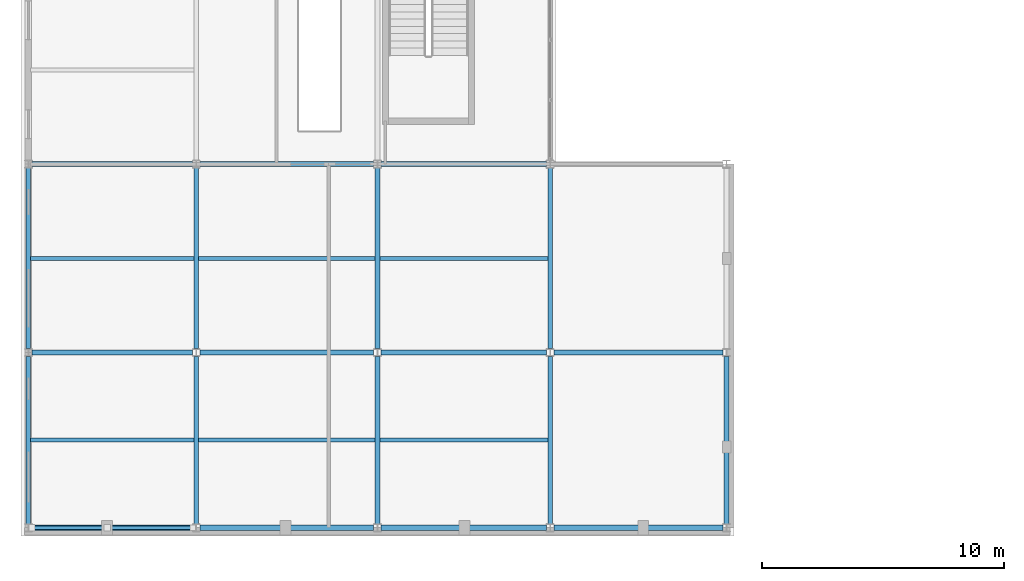
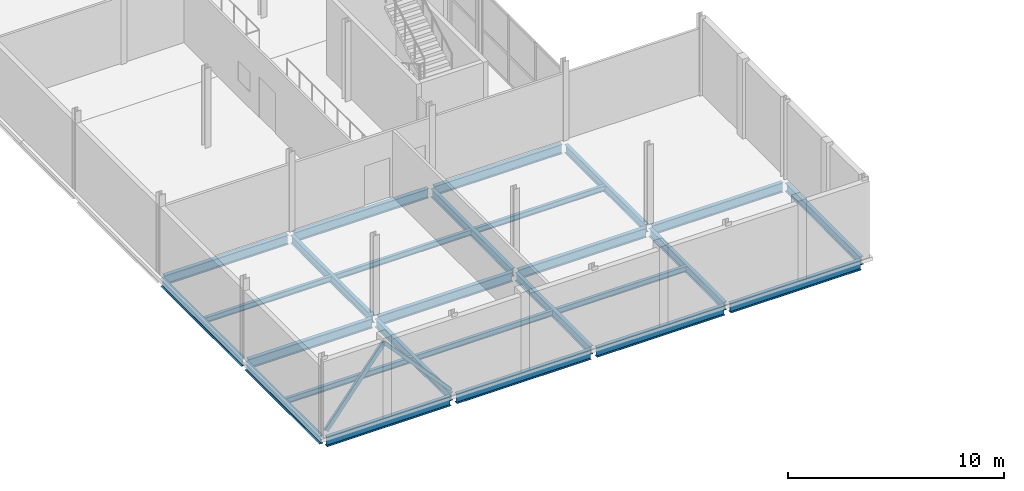
# One storey, part 11 of 77: 26 beams, 2 members.
"""IFC4 building model written with IfcOpenShell, lengths in metres."""

from ifc_helpers import new_model, si_unit, direction, frame, origin, origin_2d, place, context, subcontext, project, spatial, hollow_rectangle, i_section, extrude, material, material_profile, profile_set, type_object, element, save


model = new_model("IFC4")

# Units and contexts
model_context = context("Model", 3, precision=1e-05, world=origin(), true_north=direction((0.0, 1.0)))
body_context = subcontext(model_context, "Body", "Model", "MODEL_VIEW")
ifc_project = project(units=[si_unit("LENGTHUNIT", "METRE"), si_unit("AREAUNIT", "SQUARE_METRE"), si_unit("VOLUMEUNIT", "CUBIC_METRE"), si_unit("PLANEANGLEUNIT", "RADIAN"), si_unit("MASSUNIT", "GRAM", prefix="KILO")], contexts=[model_context])

# Site, building, storey
site_placement = place(None, origin())
site = spatial("IfcSite", under=ifc_project, at=site_placement, CompositionType="ELEMENT")
building_placement = place(site_placement, origin())
building = spatial("IfcBuilding", under=site, at=building_placement, Name="Quillay Park Conservatory", CompositionType="ELEMENT")
storey_placement = place(building_placement, frame((0.0, 0.0, 5.39990234375)))
storey = spatial("IfcBuildingStorey", under=building, at=storey_placement, Name="L01", CompositionType="ELEMENT", Elevation=5.39990234375)

# Beams
ifc_material_1 = material(Name="Steel ASTM A992 Grade 50", Category="steel")
ifc_material_profile_1 = material_profile(ifc_material_1, i_section(OverallWidth=0.166015625, OverallDepth=0.31298828125, WebThickness=0.006591796875, FlangeThickness=0.01123046875, FilletRadius=0.010009765625, at=origin_2d()), Name="W310x45")
ifc_profile_set_1 = profile_set([ifc_material_profile_1], Name="Steel ASTM A992 Grade 50")
beam_type_1 = type_object("IfcBeamType", Name="COMPOSITE FLOOR JOIST W310 X45", PredefinedType="JOIST", material=ifc_profile_set_1)
beam_1_placement = place(storey_placement, frame((0.64599609375, 4.175048828125, -0.346435546875), z_axis=(1.0, 0.0, 0.0), x_axis=(0.0, 1.0, 0.0)))
element("IfcBeam", 1, at=beam_1_placement, inside=storey, type_object=beam_type_1, Name="L01 beam BM-V3J-1312", PredefinedType="JOIST", context=body_context, shape_type="SweptSolid", body=[
    extrude(i_section(OverallWidth=0.166015625, OverallDepth=0.31298828125, WebThickness=0.006591796875, FlangeThickness=0.01123046875, FilletRadius=0.010009765625, at=origin_2d()), origin(), (0.0, 0.0, 1.0), 6.758056640625),
])
beam_2_placement = place(storey_placement, frame((7.595947265625, 4.175048828125, -0.346435546875), z_axis=(1.0, 0.0, 0.0), x_axis=(0.0, 1.0, 0.0)))
element("IfcBeam", 2, at=beam_2_placement, inside=storey, type_object=beam_type_1, Name="L01 beam BM-V3J-1313", PredefinedType="JOIST", context=body_context, shape_type="SweptSolid", body=[
    extrude(i_section(OverallWidth=0.166015625, OverallDepth=0.31298828125, WebThickness=0.006591796875, FlangeThickness=0.01123046875, FilletRadius=0.010009765625, at=origin_2d()), origin(), (0.0, 0.0, 1.0), 7.30810546875),
])
beam_3_placement = place(storey_placement, frame((15.095947265625, 4.175048828125, -0.346435546875), z_axis=(1.0, 0.0, 0.0), x_axis=(0.0, 1.0, 0.0)))
element("IfcBeam", 3, at=beam_3_placement, inside=storey, type_object=beam_type_1, Name="L01 beam BM-V3J-1314", PredefinedType="JOIST", context=body_context, shape_type="SweptSolid", body=[
    extrude(i_section(OverallWidth=0.166015625, OverallDepth=0.31298828125, WebThickness=0.006591796875, FlangeThickness=0.01123046875, FilletRadius=0.010009765625, at=origin_2d()), origin(), (0.0, 0.0, 1.0), 6.9580078125),
])
beam_4_placement = place(storey_placement, frame((0.64599609375, 11.699951171875, -0.346435546875), z_axis=(1.0, 0.0, 0.0), x_axis=(0.0, 1.0, 0.0)))
element("IfcBeam", 4, at=beam_4_placement, inside=storey, type_object=beam_type_1, Name="L01 beam BM-V3J-1315", PredefinedType="JOIST", context=body_context, shape_type="SweptSolid", body=[
    extrude(i_section(OverallWidth=0.166015625, OverallDepth=0.31298828125, WebThickness=0.006591796875, FlangeThickness=0.01123046875, FilletRadius=0.010009765625, at=origin_2d()), origin(), (0.0, 0.0, 1.0), 6.758056640625),
])
beam_5_placement = place(storey_placement, frame((7.595947265625, 11.699951171875, -0.346435546875), z_axis=(1.0, 0.0, 0.0), x_axis=(0.0, 1.0, 0.0)))
element("IfcBeam", 5, at=beam_5_placement, inside=storey, type_object=beam_type_1, Name="L01 beam BM-V3J-1316", PredefinedType="JOIST", context=body_context, shape_type="SweptSolid", body=[
    extrude(i_section(OverallWidth=0.166015625, OverallDepth=0.31298828125, WebThickness=0.006591796875, FlangeThickness=0.01123046875, FilletRadius=0.010009765625, at=origin_2d()), origin(), (0.0, 0.0, 1.0), 7.30810546875),
])
beam_6_placement = place(storey_placement, frame((15.095947265625, 11.699951171875, -0.346435546875), z_axis=(1.0, 0.0, 0.0), x_axis=(0.0, 1.0, 0.0)))
element("IfcBeam", 6, at=beam_6_placement, inside=storey, type_object=beam_type_1, Name="L01 beam BM-V3J-1317", PredefinedType="JOIST", context=body_context, shape_type="SweptSolid", body=[
    extrude(i_section(OverallWidth=0.166015625, OverallDepth=0.31298828125, WebThickness=0.006591796875, FlangeThickness=0.01123046875, FilletRadius=0.010009765625, at=origin_2d()), origin(), (0.0, 0.0, 1.0), 6.9580078125),
])
ifc_material_2 = material(Name="Steel ASTM A992 Grade 50", Category="steel")
ifc_material_profile_2 = material_profile(ifc_material_2, i_section(OverallWidth=0.19189453125, OverallDepth=0.462890625, WebThickness=0.010498046875, FlangeThickness=0.017578125, FilletRadius=0.012939453125, at=origin_2d()), Name="W460x89")
ifc_profile_set_2 = profile_set([ifc_material_profile_2], Name="Steel ASTM A992 Grade 50")
beam_type_2 = type_object("IfcBeamType", Name="PRIMARY FLOOR GIRDER W460 X89", PredefinedType="BEAM", material=ifc_profile_set_2)
beam_7_placement = place(storey_placement, frame((0.550048828125, 0.71142578125, -0.42138671875), z_axis=(0.0, 1.0, 0.0), x_axis=(-1.0, 0.0, 0.0)))
element("IfcBeam", 7, at=beam_7_placement, inside=storey, type_object=beam_type_2, Name="L01 beam BM-V3Y-1283", PredefinedType="BEAM", context=body_context, shape_type="SweptSolid", body=[
    extrude(i_section(OverallWidth=0.19189453125, OverallDepth=0.462890625, WebThickness=0.010498046875, FlangeThickness=0.017578125, FilletRadius=0.012939453125, at=origin_2d()), origin(), (0.0, 0.0, 1.0), 6.927001953125),
])
beam_8_placement = place(storey_placement, frame((0.550048828125, 7.96142578125, -0.42138671875), z_axis=(0.0, 1.0, 0.0), x_axis=(-1.0, 0.0, 0.0)))
element("IfcBeam", 8, at=beam_8_placement, inside=storey, type_object=beam_type_2, Name="L01 beam BM-V3Y-1284", PredefinedType="BEAM", context=body_context, shape_type="SweptSolid", body=[
    extrude(i_section(OverallWidth=0.19189453125, OverallDepth=0.462890625, WebThickness=0.010498046875, FlangeThickness=0.017578125, FilletRadius=0.012939453125, at=origin_2d()), origin(), (0.0, 0.0, 1.0), 7.47705078125),
])
beam_9_placement = place(storey_placement, frame((7.5, 0.71142578125, -0.42138671875), z_axis=(0.0, 1.0, 0.0), x_axis=(-1.0, 0.0, 0.0)))
element("IfcBeam", 9, at=beam_9_placement, inside=storey, type_object=beam_type_2, Name="L01 beam BM-V3Y-1290", PredefinedType="BEAM", context=body_context, shape_type="SweptSolid", body=[
    extrude(i_section(OverallWidth=0.19189453125, OverallDepth=0.462890625, WebThickness=0.010498046875, FlangeThickness=0.017578125, FilletRadius=0.012939453125, at=origin_2d()), origin(), (0.0, 0.0, 1.0), 6.927001953125),
])
beam_10_placement = place(storey_placement, frame((7.5, 7.96142578125, -0.42138671875), z_axis=(0.0, 1.0, 0.0), x_axis=(-1.0, 0.0, 0.0)))
element("IfcBeam", 10, at=beam_10_placement, inside=storey, type_object=beam_type_2, Name="L01 beam BM-V3Y-1291", PredefinedType="BEAM", context=body_context, shape_type="SweptSolid", body=[
    extrude(i_section(OverallWidth=0.19189453125, OverallDepth=0.462890625, WebThickness=0.010498046875, FlangeThickness=0.017578125, FilletRadius=0.012939453125, at=origin_2d()), origin(), (0.0, 0.0, 1.0), 7.47705078125),
])
beam_11_placement = place(storey_placement, frame((15.0, 0.71142578125, -0.42138671875), z_axis=(0.0, 1.0, 0.0), x_axis=(-1.0, 0.0, 0.0)))
element("IfcBeam", 11, at=beam_11_placement, inside=storey, type_object=beam_type_2, Name="L01 beam BM-V3Y-1296", PredefinedType="BEAM", context=body_context, shape_type="SweptSolid", body=[
    extrude(i_section(OverallWidth=0.19189453125, OverallDepth=0.462890625, WebThickness=0.010498046875, FlangeThickness=0.017578125, FilletRadius=0.012939453125, at=origin_2d()), origin(), (0.0, 0.0, 1.0), 6.927001953125),
])
beam_12_placement = place(storey_placement, frame((15.0, 7.96142578125, -0.42138671875), z_axis=(0.0, 1.0, 0.0), x_axis=(-1.0, 0.0, 0.0)))
element("IfcBeam", 12, at=beam_12_placement, inside=storey, type_object=beam_type_2, Name="L01 beam BM-V3Y-1297", PredefinedType="BEAM", context=body_context, shape_type="SweptSolid", body=[
    extrude(i_section(OverallWidth=0.19189453125, OverallDepth=0.462890625, WebThickness=0.010498046875, FlangeThickness=0.017578125, FilletRadius=0.012939453125, at=origin_2d()), origin(), (0.0, 0.0, 1.0), 7.47705078125),
])
beam_13_placement = place(storey_placement, frame((22.14990234375, 0.71142578125, -0.42138671875), z_axis=(0.0, 1.0, 0.0), x_axis=(-1.0, 0.0, 0.0)))
element("IfcBeam", 13, at=beam_13_placement, inside=storey, type_object=beam_type_2, Name="L01 beam BM-V3Y-1303", PredefinedType="BEAM", context=body_context, shape_type="SweptSolid", body=[
    extrude(i_section(OverallWidth=0.19189453125, OverallDepth=0.462890625, WebThickness=0.010498046875, FlangeThickness=0.017578125, FilletRadius=0.012939453125, at=origin_2d()), origin(), (0.0, 0.0, 1.0), 6.927001953125),
])
beam_14_placement = place(storey_placement, frame((22.14990234375, 7.96142578125, -0.42138671875), z_axis=(0.0, 1.0, 0.0), x_axis=(-1.0, 0.0, 0.0)))
element("IfcBeam", 14, at=beam_14_placement, inside=storey, type_object=beam_type_2, Name="L01 beam BM-V3Y-1304", PredefinedType="BEAM", context=body_context, shape_type="SweptSolid", body=[
    extrude(i_section(OverallWidth=0.19189453125, OverallDepth=0.462890625, WebThickness=0.010498046875, FlangeThickness=0.017578125, FilletRadius=0.012939453125, at=origin_2d()), origin(), (0.0, 0.0, 1.0), 7.47705078125),
])
beam_15_placement = place(storey_placement, frame((29.449951171875, 0.71142578125, -0.42138671875), z_axis=(0.0, 1.0, 0.0), x_axis=(-1.0, 0.0, 0.0)))
element("IfcBeam", 15, at=beam_15_placement, inside=storey, type_object=beam_type_2, Name="L01 beam BM-V3Y-1310", PredefinedType="BEAM", context=body_context, shape_type="SweptSolid", body=[
    extrude(i_section(OverallWidth=0.19189453125, OverallDepth=0.462890625, WebThickness=0.010498046875, FlangeThickness=0.017578125, FilletRadius=0.012939453125, at=origin_2d()), origin(), (0.0, 0.0, 1.0), 6.927001953125),
])
ifc_material_3 = material(Name="Steel ASTM A992 Grade 50", Category="steel")
ifc_material_profile_3 = material_profile(ifc_material_3, i_section(OverallWidth=0.2109375, OverallDepth=0.5390625, WebThickness=0.01171875, FlangeThickness=0.018798828125, FilletRadius=0.013916015625, at=origin_2d()), Name="W530x109")
ifc_profile_set_3 = profile_set([ifc_material_profile_3], Name="Steel ASTM A992 Grade 50")
beam_type_3 = type_object("IfcBeamType", Name="PRIMARY FLOOR GIRDER W530 X109", PredefinedType="BEAM", material=ifc_profile_set_3)
beam_16_placement = place(storey_placement, frame((0.70458984375, 0.550048828125, -0.45947265625), z_axis=(1.0, 0.0, 0.0), x_axis=(0.0, 1.0, 0.0)))
element("IfcBeam", 16, at=beam_16_placement, inside=storey, type_object=beam_type_3, Name="L01 beam BM-V3X-1261", PredefinedType="BEAM", context=body_context, shape_type="SweptSolid", body=[
    extrude(i_section(OverallWidth=0.2109375, OverallDepth=0.5390625, WebThickness=0.01171875, FlangeThickness=0.018798828125, FilletRadius=0.013916015625, at=origin_2d()), origin(), (0.0, 0.0, 1.0), 6.640869140625),
])
beam_17_placement = place(storey_placement, frame((7.654541015625, 0.550048828125, -0.45947265625), z_axis=(1.0, 0.0, 0.0), x_axis=(0.0, 1.0, 0.0)))
element("IfcBeam", 17, at=beam_17_placement, inside=storey, type_object=beam_type_3, Name="L01 beam BM-V3X-1262", PredefinedType="BEAM", context=body_context, shape_type="SweptSolid", body=[
    extrude(i_section(OverallWidth=0.2109375, OverallDepth=0.5390625, WebThickness=0.01171875, FlangeThickness=0.018798828125, FilletRadius=0.013916015625, at=origin_2d()), origin(), (0.0, 0.0, 1.0), 7.19091796875),
])
beam_18_placement = place(storey_placement, frame((15.154541015625, 0.550048828125, -0.45947265625), z_axis=(1.0, 0.0, 0.0), x_axis=(0.0, 1.0, 0.0)))
element("IfcBeam", 18, at=beam_18_placement, inside=storey, type_object=beam_type_3, Name="L01 beam BM-V3X-1263", PredefinedType="BEAM", context=body_context, shape_type="SweptSolid", body=[
    extrude(i_section(OverallWidth=0.2109375, OverallDepth=0.5390625, WebThickness=0.01171875, FlangeThickness=0.018798828125, FilletRadius=0.013916015625, at=origin_2d()), origin(), (0.0, 0.0, 1.0), 6.841064453125),
])
beam_19_placement = place(storey_placement, frame((22.304443359375, 0.550048828125, -0.45947265625), z_axis=(1.0, 0.0, 0.0), x_axis=(0.0, 1.0, 0.0)))
element("IfcBeam", 19, at=beam_19_placement, inside=storey, type_object=beam_type_3, Name="L01 beam BM-V3X-1264", PredefinedType="BEAM", context=body_context, shape_type="SweptSolid", body=[
    extrude(i_section(OverallWidth=0.2109375, OverallDepth=0.5390625, WebThickness=0.01171875, FlangeThickness=0.018798828125, FilletRadius=0.013916015625, at=origin_2d()), origin(), (0.0, 0.0, 1.0), 6.990966796875),
])
beam_20_placement = place(storey_placement, frame((0.70458984375, 7.800048828125, -0.45947265625), z_axis=(1.0, 0.0, 0.0), x_axis=(0.0, 1.0, 0.0)))
element("IfcBeam", 20, at=beam_20_placement, inside=storey, type_object=beam_type_3, Name="L01 beam BM-V3X-1265", PredefinedType="BEAM", context=body_context, shape_type="SweptSolid", body=[
    extrude(i_section(OverallWidth=0.2109375, OverallDepth=0.5390625, WebThickness=0.01171875, FlangeThickness=0.018798828125, FilletRadius=0.013916015625, at=origin_2d()), origin(), (0.0, 0.0, 1.0), 6.640869140625),
])
beam_21_placement = place(storey_placement, frame((7.654541015625, 7.800048828125, -0.45947265625), z_axis=(1.0, 0.0, 0.0), x_axis=(0.0, 1.0, 0.0)))
element("IfcBeam", 21, at=beam_21_placement, inside=storey, type_object=beam_type_3, Name="L01 beam BM-V3X-1266", PredefinedType="BEAM", context=body_context, shape_type="SweptSolid", body=[
    extrude(i_section(OverallWidth=0.2109375, OverallDepth=0.5390625, WebThickness=0.01171875, FlangeThickness=0.018798828125, FilletRadius=0.013916015625, at=origin_2d()), origin(), (0.0, 0.0, 1.0), 7.19091796875),
])
beam_22_placement = place(storey_placement, frame((15.154541015625, 7.800048828125, -0.45947265625), z_axis=(1.0, 0.0, 0.0), x_axis=(0.0, 1.0, 0.0)))
element("IfcBeam", 22, at=beam_22_placement, inside=storey, type_object=beam_type_3, Name="L01 beam BM-V3X-1267", PredefinedType="BEAM", context=body_context, shape_type="SweptSolid", body=[
    extrude(i_section(OverallWidth=0.2109375, OverallDepth=0.5390625, WebThickness=0.01171875, FlangeThickness=0.018798828125, FilletRadius=0.013916015625, at=origin_2d()), origin(), (0.0, 0.0, 1.0), 6.841064453125),
])
beam_23_placement = place(storey_placement, frame((22.304443359375, 7.800048828125, -0.45947265625), z_axis=(1.0, 0.0, 0.0), x_axis=(0.0, 1.0, 0.0)))
element("IfcBeam", 23, at=beam_23_placement, inside=storey, type_object=beam_type_3, Name="L01 beam BM-V3X-1268", PredefinedType="BEAM", context=body_context, shape_type="SweptSolid", body=[
    extrude(i_section(OverallWidth=0.2109375, OverallDepth=0.5390625, WebThickness=0.01171875, FlangeThickness=0.018798828125, FilletRadius=0.013916015625, at=origin_2d()), origin(), (0.0, 0.0, 1.0), 6.990966796875),
])
beam_24_placement = place(storey_placement, frame((0.70458984375, 15.60009765625, -0.45947265625), z_axis=(1.0, 0.0, 0.0), x_axis=(0.0, 1.0, 0.0)))
element("IfcBeam", 24, at=beam_24_placement, inside=storey, type_object=beam_type_3, Name="L01 beam BM-V3X-1269", PredefinedType="BEAM", context=body_context, shape_type="SweptSolid", body=[
    extrude(i_section(OverallWidth=0.2109375, OverallDepth=0.5390625, WebThickness=0.01171875, FlangeThickness=0.018798828125, FilletRadius=0.013916015625, at=origin_2d()), origin(), (0.0, 0.0, 1.0), 6.640869140625),
])
beam_25_placement = place(storey_placement, frame((7.654541015625, 15.60009765625, -0.45947265625), z_axis=(1.0, 0.0, 0.0), x_axis=(0.0, 1.0, 0.0)))
element("IfcBeam", 25, at=beam_25_placement, inside=storey, type_object=beam_type_3, Name="L01 beam BM-V3X-1270", PredefinedType="BEAM", context=body_context, shape_type="SweptSolid", body=[
    extrude(i_section(OverallWidth=0.2109375, OverallDepth=0.5390625, WebThickness=0.01171875, FlangeThickness=0.018798828125, FilletRadius=0.013916015625, at=origin_2d()), origin(), (0.0, 0.0, 1.0), 7.19091796875),
])
beam_26_placement = place(storey_placement, frame((15.154541015625, 15.60009765625, -0.45947265625), z_axis=(1.0, 0.0, 0.0), x_axis=(0.0, 1.0, 0.0)))
element("IfcBeam", 26, at=beam_26_placement, inside=storey, type_object=beam_type_3, Name="L01 beam BM-V3X-1271", PredefinedType="BEAM", context=body_context, shape_type="SweptSolid", body=[
    extrude(i_section(OverallWidth=0.2109375, OverallDepth=0.5390625, WebThickness=0.01171875, FlangeThickness=0.018798828125, FilletRadius=0.013916015625, at=origin_2d()), origin(), (0.0, 0.0, 1.0), 6.841064453125),
])

# Members
ifc_material_4 = material(Name="Steel S355J2H", Category="steel")
ifc_material_profile_4 = material_profile(ifc_material_4, hollow_rectangle(XDim=0.179931640625, YDim=0.179931640625, WallThickness=0.010009765625, InnerFilletRadius=0.010009765625, OuterFilletRadius=0.02001953125, at=origin_2d()), Name="RHS180x180x10")
ifc_profile_set_4 = profile_set([ifc_material_profile_4], Name="Steel S355J2H")
member_type_1 = type_object("IfcMemberType", Name="SEISMIC FRAME BRACE RHS180", PredefinedType="BRACE", material=ifc_profile_set_4)
member_1_placement = place(storey_placement, frame((7.35009765625, 0.550048828125, 0.150146484375), z_axis=(-0.673158838925, 0.0, 0.739497922632), x_axis=(0.0, -1.0, 0.0)))
element("IfcMember", 27, at=member_1_placement, inside=storey, type_object=member_type_1, Name="Gridshell member BR-V3-L01-B", PredefinedType="BRACE", context=body_context, shape_type="SweptSolid", body=[
    extrude(hollow_rectangle(XDim=0.179931640625, YDim=0.179931640625, WallThickness=0.010009765625, InnerFilletRadius=0.010009765625, OuterFilletRadius=0.02001953125, at=origin_2d()), origin(), (0.0, 0.0, 1.0), 5.273681640625),
])
ifc_material_5 = material(Name="Steel S355J2H", Category="steel")
ifc_material_profile_5 = material_profile(ifc_material_5, hollow_rectangle(XDim=0.14990234375, YDim=0.25, WallThickness=0.010009765625, InnerFilletRadius=0.010009765625, OuterFilletRadius=0.02001953125, at=origin_2d()), Name="RHS250x150x10")
ifc_profile_set_5 = profile_set([ifc_material_profile_5], Name="Steel S355J2H")
member_type_2 = type_object("IfcMemberType", Name="SEISMIC FRAME BRACE RHS250", PredefinedType="BRACE", material=ifc_profile_set_5)
member_2_placement = place(storey_placement, frame((0.699951171875, 0.550048828125, 0.150146484375), z_axis=(0.622265685967, 0.0, 0.782806116525), x_axis=(0.0, 1.0, 0.0)))
element("IfcMember", 28, at=member_2_placement, inside=storey, type_object=member_type_2, Name="Gridshell member BR-V3-L01-A", PredefinedType="BRACE", context=body_context, shape_type="SweptSolid", body=[
    extrude(hollow_rectangle(XDim=0.14990234375, YDim=0.25, WallThickness=0.010009765625, InnerFilletRadius=0.010009765625, OuterFilletRadius=0.02001953125, at=origin_2d()), origin(), (0.0, 0.0, 1.0), 4.98193359375),
])

save(model, "model.ifc")
